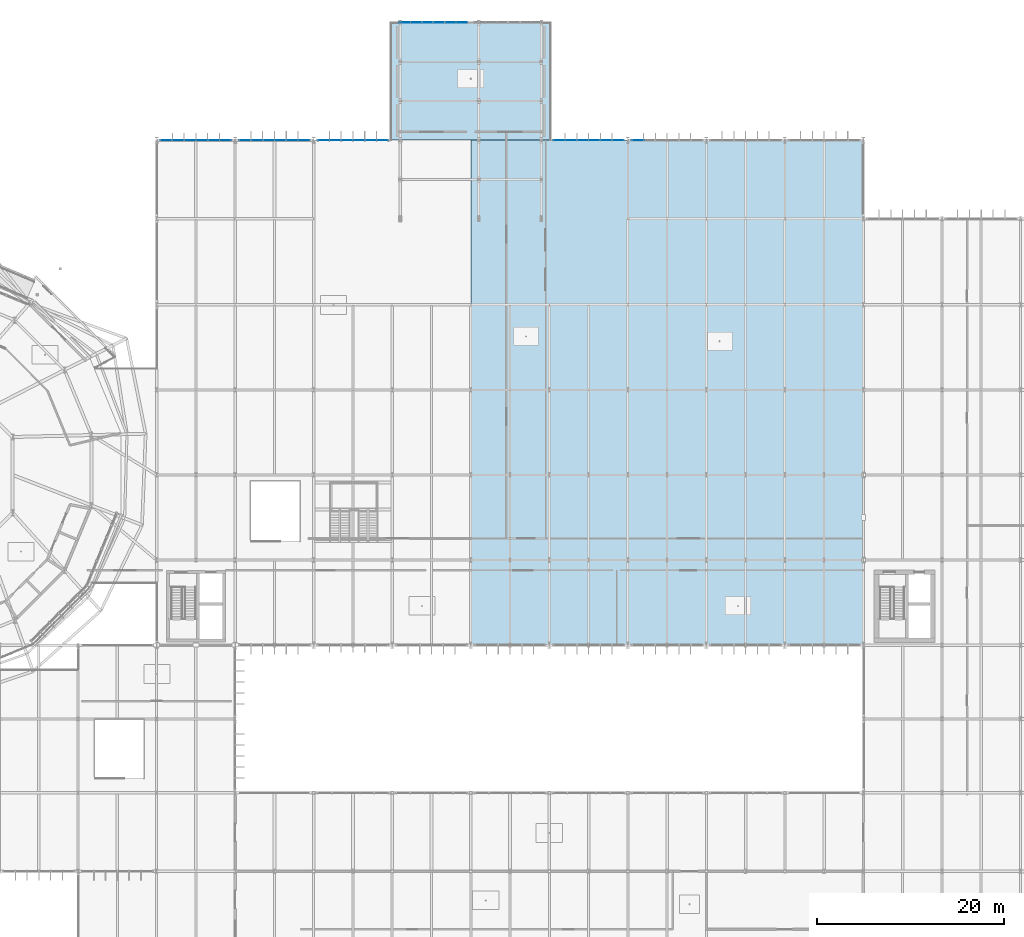
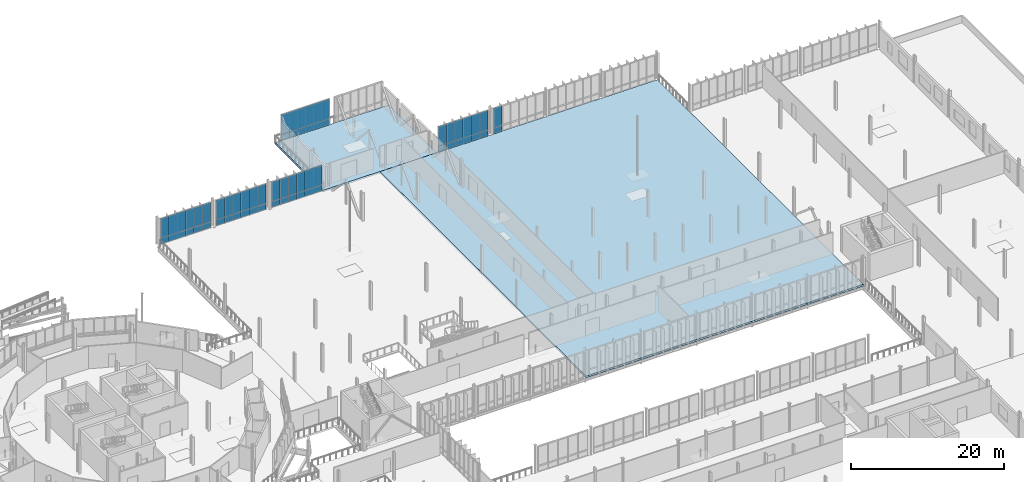
# One storey, part 92 of 139: 62 plates, 2 slabs, 6 elements without a shape of their own.
"""IFC4 building model written with IfcOpenShell, lengths in metres."""

from ifc_helpers import new_model, si_unit, derived_unit, direction, frame, origin, origin_2d, place, context, subcontext, project, spatial, polyline, rectangle, outline, extrude, material, layer, layer_set, type_object, element, aggregate, save


model = new_model("IFC4")

# Units and contexts
model_context = context("Model", 3, precision=1e-05, world=origin(), true_north=direction((0.0, 1.0)))
body_context = subcontext(model_context, "Body", "Model", "MODEL_VIEW")
ifc_project = project(units=[si_unit("LENGTHUNIT", "METRE"), si_unit("AREAUNIT", "SQUARE_METRE"), si_unit("VOLUMEUNIT", "CUBIC_METRE"), si_unit("PLANEANGLEUNIT", "RADIAN"), si_unit("MASSUNIT", "GRAM", prefix="KILO"), derived_unit("THERMALTRANSMITTANCEUNIT", [(si_unit("MASSUNIT", "GRAM", prefix="KILO"), 1), (si_unit("TIMEUNIT", "SECOND"), -3), (si_unit("THERMODYNAMICTEMPERATUREUNIT", "KELVIN"), -1)])], contexts=[model_context])

# Site, building, storey
site_placement = place(None, origin())
site = spatial("IfcSite", under=ifc_project, at=site_placement, CompositionType="ELEMENT")
building_placement = place(site_placement, origin())
building = spatial("IfcBuilding", under=site, at=building_placement, Name="Makaiwela Harbour Ferry Terminal", CompositionType="ELEMENT")
storey_placement = place(building_placement, frame((0.0, 0.0, 5.10009765625)))
storey = spatial("IfcBuildingStorey", under=building, at=storey_placement, Name="L01", CompositionType="ELEMENT", Elevation=5.10009765625)

# Curtain wall, plates
ifc_material_1 = material(Name="Marine anodised aluminium 6063-T6", Category="aluminium")
ifc_layer_1 = layer(ifc_material_1, 0.199951171875)
ifc_layer_set_1 = layer_set([ifc_layer_1], Name="Marine anodised aluminium 6063-T6")
curtain_wall_type_1 = type_object("IfcCurtainWallType", Name="ENV-CW-08", PredefinedType="USERDEFINED", material=ifc_layer_set_1)
curtain_wall_1_placement = place(storey_placement, origin())
curtain_wall_1 = element("IfcCurtainWall", 1, at=curtain_wall_1_placement, inside=storey, type_object=curtain_wall_type_1, Name="Unitised Curtain Wall CWA-072", ObjectType="UNITIZED CURTAIN WALL", PredefinedType="USERDEFINED")
ifc_material_2 = material(Name="Laminated hurricane-impact low-E insulated glazing", Category="glass")
ifc_layer_2 = layer(ifc_material_2, 0.031982421875)
ifc_layer_set_2 = layer_set([ifc_layer_2], Name="Laminated hurricane-impact low-E insulated glazing")
plate_type_1 = type_object("IfcPlateType", Name="CW-PNL-G12", PredefinedType="CURTAIN_PANEL", material=ifc_layer_set_2)
plate_1_placement = place(storey_placement, frame((64.050048828125, 103.39990234375, 0.949951171875), z_axis=(0.0, 0.0, 1.0), x_axis=(1.0, 0.0, 0.0)))
plate_1 = element("IfcPlate", 2, at=plate_1_placement, type_object=plate_type_1, Name="Glazed Vision Panel CWA-072-1G", PredefinedType="CURTAIN_PANEL", context=body_context, shape_type="SweptSolid", body=[
    extrude(rectangle(XDim=1.260009765625, YDim=0.031982421875, at=origin_2d()), origin(), (0.0, 0.0, 1.0), 3.14990234375),
])
plate_2_placement = place(storey_placement, frame((65.31005859375, 103.39990234375, 0.949951171875), z_axis=(0.0, 0.0, 1.0), x_axis=(1.0, 0.0, 0.0)))
plate_2 = element("IfcPlate", 3, at=plate_2_placement, type_object=plate_type_1, Name="Glazed Vision Panel CWA-072-2G", PredefinedType="CURTAIN_PANEL", context=body_context, shape_type="SweptSolid", body=[
    extrude(rectangle(XDim=1.260009765625, YDim=0.031982421875, at=origin_2d()), origin(), (0.0, 0.0, 1.0), 3.14990234375),
])
plate_3_placement = place(storey_placement, frame((66.570068359375, 103.39990234375, 0.949951171875), z_axis=(0.0, 0.0, 1.0), x_axis=(1.0, 0.0, 0.0)))
plate_3 = element("IfcPlate", 4, at=plate_3_placement, type_object=plate_type_1, Name="Glazed Vision Panel CWA-072-3G", PredefinedType="CURTAIN_PANEL", context=body_context, shape_type="SweptSolid", body=[
    extrude(rectangle(XDim=1.260009765625, YDim=0.031982421875, at=origin_2d()), origin(), (0.0, 0.0, 1.0), 3.14990234375),
])
plate_4_placement = place(storey_placement, frame((67.830078125, 103.39990234375, 0.949951171875), z_axis=(0.0, 0.0, 1.0), x_axis=(1.0, 0.0, 0.0)))
plate_4 = element("IfcPlate", 5, at=plate_4_placement, type_object=plate_type_1, Name="Glazed Vision Panel CWA-072-4G", PredefinedType="CURTAIN_PANEL", context=body_context, shape_type="SweptSolid", body=[
    extrude(rectangle(XDim=1.260009765625, YDim=0.031982421875, at=origin_2d()), origin(), (0.0, 0.0, 1.0), 3.14990234375),
])
plate_5_placement = place(storey_placement, frame((69.090087890625, 103.39990234375, 0.949951171875), z_axis=(0.0, 0.0, 1.0), x_axis=(1.0, 0.0, 0.0)))
plate_5 = element("IfcPlate", 6, at=plate_5_placement, type_object=plate_type_1, Name="Glazed Vision Panel CWA-072-5G", PredefinedType="CURTAIN_PANEL", context=body_context, shape_type="SweptSolid", body=[
    extrude(rectangle(XDim=1.260009765625, YDim=0.031982421875, at=origin_2d()), origin(), (0.0, 0.0, 1.0), 3.14990234375),
])
plate_6_placement = place(storey_placement, frame((70.35009765625, 103.39990234375, 0.949951171875), z_axis=(0.0, 0.0, 1.0), x_axis=(1.0, 0.0, 0.0)))
plate_6 = element("IfcPlate", 7, at=plate_6_placement, type_object=plate_type_1, Name="Glazed Vision Panel CWA-072-6G", PredefinedType="CURTAIN_PANEL", context=body_context, shape_type="SweptSolid", body=[
    extrude(rectangle(XDim=1.260009765625, YDim=0.031982421875, at=origin_2d()), origin(), (0.0, 0.0, 1.0), 3.14990234375),
])

curtain_wall_2_placement = place(storey_placement, origin())
curtain_wall_2 = element("IfcCurtainWall", 8, at=curtain_wall_2_placement, inside=storey, type_object=curtain_wall_type_1, Name="Unitised Curtain Wall CWA-073", ObjectType="UNITIZED CURTAIN WALL", PredefinedType="USERDEFINED")
plate_7_placement = place(storey_placement, frame((72.449951171875, 103.39990234375, 0.949951171875), z_axis=(0.0, 0.0, 1.0), x_axis=(1.0, 0.0, 0.0)))
plate_7 = element("IfcPlate", 9, at=plate_7_placement, type_object=plate_type_1, Name="Glazed Vision Panel CWA-073-1G", PredefinedType="CURTAIN_PANEL", context=body_context, shape_type="SweptSolid", body=[
    extrude(rectangle(XDim=1.260009765625, YDim=0.031982421875, at=origin_2d()), origin(), (0.0, 0.0, 1.0), 3.14990234375),
])
plate_8_placement = place(storey_placement, frame((73.7099609375, 103.39990234375, 0.949951171875), z_axis=(0.0, 0.0, 1.0), x_axis=(1.0, 0.0, 0.0)))
plate_8 = element("IfcPlate", 10, at=plate_8_placement, type_object=plate_type_1, Name="Glazed Vision Panel CWA-073-2G", PredefinedType="CURTAIN_PANEL", context=body_context, shape_type="SweptSolid", body=[
    extrude(rectangle(XDim=1.260009765625, YDim=0.031982421875, at=origin_2d()), origin(), (0.0, 0.0, 1.0), 3.14990234375),
])
plate_9_placement = place(storey_placement, frame((74.969970703125, 103.39990234375, 0.949951171875), z_axis=(0.0, 0.0, 1.0), x_axis=(1.0, 0.0, 0.0)))
plate_9 = element("IfcPlate", 11, at=plate_9_placement, type_object=plate_type_1, Name="Glazed Vision Panel CWA-073-3G", PredefinedType="CURTAIN_PANEL", context=body_context, shape_type="SweptSolid", body=[
    extrude(rectangle(XDim=1.260009765625, YDim=0.031982421875, at=origin_2d()), origin(), (0.0, 0.0, 1.0), 3.14990234375),
])
plate_10_placement = place(storey_placement, frame((76.22998046875, 103.39990234375, 0.949951171875), z_axis=(0.0, 0.0, 1.0), x_axis=(1.0, 0.0, 0.0)))
plate_10 = element("IfcPlate", 12, at=plate_10_placement, type_object=plate_type_1, Name="Glazed Vision Panel CWA-073-4G", PredefinedType="CURTAIN_PANEL", context=body_context, shape_type="SweptSolid", body=[
    extrude(rectangle(XDim=1.260009765625, YDim=0.031982421875, at=origin_2d()), origin(), (0.0, 0.0, 1.0), 3.14990234375),
])
plate_11_placement = place(storey_placement, frame((77.489990234375, 103.39990234375, 0.949951171875), z_axis=(0.0, 0.0, 1.0), x_axis=(1.0, 0.0, 0.0)))
plate_11 = element("IfcPlate", 13, at=plate_11_placement, type_object=plate_type_1, Name="Glazed Vision Panel CWA-073-5G", PredefinedType="CURTAIN_PANEL", context=body_context, shape_type="SweptSolid", body=[
    extrude(rectangle(XDim=1.260009765625, YDim=0.031982421875, at=origin_2d()), origin(), (0.0, 0.0, 1.0), 3.14990234375),
])
plate_12_placement = place(storey_placement, frame((78.75, 103.39990234375, 0.949951171875), z_axis=(0.0, 0.0, 1.0), x_axis=(1.0, 0.0, 0.0)))
plate_12 = element("IfcPlate", 14, at=plate_12_placement, type_object=plate_type_1, Name="Glazed Vision Panel CWA-073-6G", PredefinedType="CURTAIN_PANEL", context=body_context, shape_type="SweptSolid", body=[
    extrude(rectangle(XDim=1.260009765625, YDim=0.031982421875, at=origin_2d()), origin(), (0.0, 0.0, 1.0), 3.14990234375),
])

curtain_wall_3_placement = place(storey_placement, origin())
curtain_wall_3 = element("IfcCurtainWall", 15, at=curtain_wall_3_placement, inside=storey, type_object=curtain_wall_type_1, Name="Unitised Curtain Wall CWA-077", ObjectType="UNITIZED CURTAIN WALL", PredefinedType="USERDEFINED")
plate_13_placement = place(storey_placement, frame((80.85009765625, 103.39990234375, 0.949951171875), z_axis=(0.0, 0.0, 1.0), x_axis=(1.0, 0.0, 0.0)))
plate_13 = element("IfcPlate", 16, at=plate_13_placement, type_object=plate_type_1, Name="Glazed Vision Panel CWA-077-1G", PredefinedType="CURTAIN_PANEL", context=body_context, shape_type="SweptSolid", body=[
    extrude(rectangle(XDim=1.260009765625, YDim=0.031982421875, at=origin_2d()), origin(), (0.0, 0.0, 1.0), 3.14990234375),
])
plate_14_placement = place(storey_placement, frame((82.110107421875, 103.39990234375, 0.949951171875), z_axis=(0.0, 0.0, 1.0), x_axis=(1.0, 0.0, 0.0)))
plate_14 = element("IfcPlate", 17, at=plate_14_placement, type_object=plate_type_1, Name="Glazed Vision Panel CWA-077-2G", PredefinedType="CURTAIN_PANEL", context=body_context, shape_type="SweptSolid", body=[
    extrude(rectangle(XDim=1.260009765625, YDim=0.031982421875, at=origin_2d()), origin(), (0.0, 0.0, 1.0), 3.14990234375),
])
plate_15_placement = place(storey_placement, frame((83.3701171875, 103.39990234375, 0.949951171875), z_axis=(0.0, 0.0, 1.0), x_axis=(1.0, 0.0, 0.0)))
plate_15 = element("IfcPlate", 18, at=plate_15_placement, type_object=plate_type_1, Name="Glazed Vision Panel CWA-077-3G", PredefinedType="CURTAIN_PANEL", context=body_context, shape_type="SweptSolid", body=[
    extrude(rectangle(XDim=1.260009765625, YDim=0.031982421875, at=origin_2d()), origin(), (0.0, 0.0, 1.0), 3.14990234375),
])
plate_16_placement = place(storey_placement, frame((84.6298828125, 103.39990234375, 0.949951171875), z_axis=(0.0, 0.0, 1.0), x_axis=(1.0, 0.0, 0.0)))
plate_16 = element("IfcPlate", 19, at=plate_16_placement, type_object=plate_type_1, Name="Glazed Vision Panel CWA-077-4G", PredefinedType="CURTAIN_PANEL", context=body_context, shape_type="SweptSolid", body=[
    extrude(rectangle(XDim=1.260009765625, YDim=0.031982421875, at=origin_2d()), origin(), (0.0, 0.0, 1.0), 3.14990234375),
])
plate_17_placement = place(storey_placement, frame((85.889892578125, 103.39990234375, 0.949951171875), z_axis=(0.0, 0.0, 1.0), x_axis=(1.0, 0.0, 0.0)))
plate_17 = element("IfcPlate", 20, at=plate_17_placement, type_object=plate_type_1, Name="Glazed Vision Panel CWA-077-5G", PredefinedType="CURTAIN_PANEL", context=body_context, shape_type="SweptSolid", body=[
    extrude(rectangle(XDim=1.260009765625, YDim=0.031982421875, at=origin_2d()), origin(), (0.0, 0.0, 1.0), 3.14990234375),
])
plate_18_placement = place(storey_placement, frame((87.14990234375, 103.39990234375, 0.949951171875), z_axis=(0.0, 0.0, 1.0), x_axis=(1.0, 0.0, 0.0)))
plate_18 = element("IfcPlate", 21, at=plate_18_placement, type_object=plate_type_1, Name="Glazed Vision Panel CWA-077-6G", PredefinedType="CURTAIN_PANEL", context=body_context, shape_type="SweptSolid", body=[
    extrude(rectangle(XDim=1.260009765625, YDim=0.031982421875, at=origin_2d()), origin(), (0.0, 0.0, 1.0), 3.14990234375),
])

curtain_wall_4_placement = place(storey_placement, origin())
curtain_wall_4 = element("IfcCurtainWall", 22, at=curtain_wall_4_placement, inside=storey, type_object=curtain_wall_type_1, Name="Unitised Curtain Wall CWA-084", ObjectType="UNITIZED CURTAIN WALL", PredefinedType="USERDEFINED")
plate_19_placement = place(storey_placement, frame((106.050048828125, 103.39990234375, 0.949951171875), z_axis=(0.0, 0.0, 1.0), x_axis=(1.0, 0.0, 0.0)))
plate_19 = element("IfcPlate", 23, at=plate_19_placement, type_object=plate_type_1, Name="Glazed Vision Panel CWA-084-1G", PredefinedType="CURTAIN_PANEL", context=body_context, shape_type="SweptSolid", body=[
    extrude(rectangle(XDim=1.260009765625, YDim=0.031982421875, at=origin_2d()), origin(), (0.0, 0.0, 1.0), 3.14990234375),
])
plate_20_placement = place(storey_placement, frame((107.31005859375, 103.39990234375, 0.949951171875), z_axis=(0.0, 0.0, 1.0), x_axis=(1.0, 0.0, 0.0)))
plate_20 = element("IfcPlate", 24, at=plate_20_placement, type_object=plate_type_1, Name="Glazed Vision Panel CWA-084-2G", PredefinedType="CURTAIN_PANEL", context=body_context, shape_type="SweptSolid", body=[
    extrude(rectangle(XDim=1.260009765625, YDim=0.031982421875, at=origin_2d()), origin(), (0.0, 0.0, 1.0), 3.14990234375),
])
plate_21_placement = place(storey_placement, frame((108.570068359375, 103.39990234375, 0.949951171875), z_axis=(0.0, 0.0, 1.0), x_axis=(1.0, 0.0, 0.0)))
plate_21 = element("IfcPlate", 25, at=plate_21_placement, type_object=plate_type_1, Name="Glazed Vision Panel CWA-084-3G", PredefinedType="CURTAIN_PANEL", context=body_context, shape_type="SweptSolid", body=[
    extrude(rectangle(XDim=1.260009765625, YDim=0.031982421875, at=origin_2d()), origin(), (0.0, 0.0, 1.0), 3.14990234375),
])
plate_22_placement = place(storey_placement, frame((109.830078125, 103.39990234375, 0.949951171875), z_axis=(0.0, 0.0, 1.0), x_axis=(1.0, 0.0, 0.0)))
plate_22 = element("IfcPlate", 26, at=plate_22_placement, type_object=plate_type_1, Name="Glazed Vision Panel CWA-084-4G", PredefinedType="CURTAIN_PANEL", context=body_context, shape_type="SweptSolid", body=[
    extrude(rectangle(XDim=1.260009765625, YDim=0.031982421875, at=origin_2d()), origin(), (0.0, 0.0, 1.0), 3.14990234375),
])
plate_23_placement = place(storey_placement, frame((111.090087890625, 103.39990234375, 0.949951171875), z_axis=(0.0, 0.0, 1.0), x_axis=(1.0, 0.0, 0.0)))
plate_23 = element("IfcPlate", 27, at=plate_23_placement, type_object=plate_type_1, Name="Glazed Vision Panel CWA-084-5G", PredefinedType="CURTAIN_PANEL", context=body_context, shape_type="SweptSolid", body=[
    extrude(rectangle(XDim=1.260009765625, YDim=0.031982421875, at=origin_2d()), origin(), (0.0, 0.0, 1.0), 3.14990234375),
])
plate_24_placement = place(storey_placement, frame((112.35009765625, 103.39990234375, 0.949951171875), z_axis=(0.0, 0.0, 1.0), x_axis=(1.0, 0.0, 0.0)))
plate_24 = element("IfcPlate", 28, at=plate_24_placement, type_object=plate_type_1, Name="Glazed Vision Panel CWA-084-6G", PredefinedType="CURTAIN_PANEL", context=body_context, shape_type="SweptSolid", body=[
    extrude(rectangle(XDim=1.260009765625, YDim=0.031982421875, at=origin_2d()), origin(), (0.0, 0.0, 1.0), 3.14990234375),
])

# Curtain wall, plate
curtain_wall_5_placement = place(storey_placement, origin())
curtain_wall_5 = element("IfcCurtainWall", 29, at=curtain_wall_5_placement, inside=storey, type_object=curtain_wall_type_1, Name="Unitised Curtain Wall CWA-087", ObjectType="UNITIZED CURTAIN WALL", PredefinedType="USERDEFINED")
plate_25_placement = place(storey_placement, frame((114.449951171875, 103.39990234375, 0.949951171875), z_axis=(0.0, 0.0, 1.0), x_axis=(1.0, 0.0, 0.0)))
plate_25 = element("IfcPlate", 30, at=plate_25_placement, type_object=plate_type_1, Name="Glazed Vision Panel CWA-087-1G", PredefinedType="CURTAIN_PANEL", context=body_context, shape_type="SweptSolid", body=[
    extrude(rectangle(XDim=1.260009765625, YDim=0.031982421875, at=origin_2d()), origin(), (0.0, 0.0, 1.0), 3.14990234375),
])

# Curtain wall, plates
ifc_layer_3 = layer(ifc_material_1, 0.199951171875)
ifc_layer_set_3 = layer_set([ifc_layer_3], Name="Marine anodised aluminium 6063-T6")
curtain_wall_type_2 = type_object("IfcCurtainWallType", Name="ENV-CW-20", PredefinedType="USERDEFINED", material=ifc_layer_set_3)
curtain_wall_6_placement = place(storey_placement, origin())
curtain_wall_6 = element("IfcCurtainWall", 31, at=curtain_wall_6_placement, inside=storey, type_object=curtain_wall_type_2, Name="Unitised Curtain Wall CWA-132", ObjectType="UNITIZED CURTAIN WALL", PredefinedType="USERDEFINED")
plate_26_placement = place(storey_placement, frame((89.539306640625, 116.0, 0.94970703125), z_axis=(0.0, 0.0, 1.0), x_axis=(1.0, 0.0, 0.0)))
plate_26 = element("IfcPlate", 32, at=plate_26_placement, type_object=plate_type_1, Name="Glazed Vision Panel CWA-132-1G", PredefinedType="CURTAIN_PANEL", context=body_context, shape_type="SweptSolid", body=[
    extrude(rectangle(XDim=1.21826171875, YDim=0.031982421875, at=origin_2d()), origin(), (0.0, 0.0, 1.0), 3.199951171875),
])
plate_27_placement = place(storey_placement, frame((90.757568359375, 116.0, 0.94970703125), z_axis=(0.0, 0.0, 1.0), x_axis=(1.0, 0.0, 0.0)))
plate_27 = element("IfcPlate", 33, at=plate_27_placement, type_object=plate_type_1, Name="Glazed Vision Panel CWA-132-2G", PredefinedType="CURTAIN_PANEL", context=body_context, shape_type="SweptSolid", body=[
    extrude(rectangle(XDim=1.21826171875, YDim=0.031982421875, at=origin_2d()), origin(), (0.0, 0.0, 1.0), 3.199951171875),
])
plate_28_placement = place(storey_placement, frame((91.975830078125, 116.0, 0.94970703125), z_axis=(0.0, 0.0, 1.0), x_axis=(1.0, 0.0, 0.0)))
plate_28 = element("IfcPlate", 34, at=plate_28_placement, type_object=plate_type_1, Name="Glazed Vision Panel CWA-132-3G", PredefinedType="CURTAIN_PANEL", context=body_context, shape_type="SweptSolid", body=[
    extrude(rectangle(XDim=1.21826171875, YDim=0.031982421875, at=origin_2d()), origin(), (0.0, 0.0, 1.0), 3.199951171875),
])
plate_29_placement = place(storey_placement, frame((93.194091796875, 116.0, 0.94970703125), z_axis=(0.0, 0.0, 1.0), x_axis=(1.0, 0.0, 0.0)))
plate_29 = element("IfcPlate", 35, at=plate_29_placement, type_object=plate_type_1, Name="Glazed Vision Panel CWA-132-4G", PredefinedType="CURTAIN_PANEL", context=body_context, shape_type="SweptSolid", body=[
    extrude(rectangle(XDim=1.21826171875, YDim=0.031982421875, at=origin_2d()), origin(), (0.0, 0.0, 1.0), 3.199951171875),
])
plate_30_placement = place(storey_placement, frame((94.41259765625, 116.0, 0.94970703125), z_axis=(0.0, 0.0, 1.0), x_axis=(1.0, 0.0, 0.0)))
plate_30 = element("IfcPlate", 36, at=plate_30_placement, type_object=plate_type_1, Name="Glazed Vision Panel CWA-132-5G", PredefinedType="CURTAIN_PANEL", context=body_context, shape_type="SweptSolid", body=[
    extrude(rectangle(XDim=1.21826171875, YDim=0.031982421875, at=origin_2d()), origin(), (0.0, 0.0, 1.0), 3.199951171875),
])
plate_31_placement = place(storey_placement, frame((95.630859375, 116.0, 0.94970703125), z_axis=(0.0, 0.0, 1.0), x_axis=(1.0, 0.0, 0.0)))
plate_31 = element("IfcPlate", 37, at=plate_31_placement, type_object=plate_type_1, Name="Glazed Vision Panel CWA-132-6G", PredefinedType="CURTAIN_PANEL", context=body_context, shape_type="SweptSolid", body=[
    extrude(rectangle(XDim=1.21826171875, YDim=0.031982421875, at=origin_2d()), origin(), (0.0, 0.0, 1.0), 3.199951171875),
])

# Plate
ifc_material_3 = material(Name="Insulated marine aluminium spandrel panel", Category="aluminium")
ifc_layer_4 = layer(ifc_material_3, 0.048095703125)
ifc_layer_set_4 = layer_set([ifc_layer_4], Name="Insulated marine aluminium spandrel panel")
plate_type_2 = type_object("IfcPlateType", Name="CW-PNL-S11", PredefinedType="CURTAIN_PANEL", material=ifc_layer_set_4)
plate_32_placement = place(storey_placement, frame((64.050048828125, 103.39990234375, 0.0), z_axis=(0.0, 0.0, 1.0), x_axis=(1.0, 0.0, 0.0)))
plate_32 = element("IfcPlate", 38, at=plate_32_placement, type_object=plate_type_2, Name="Spandrel Panel CWA-072-1S", PredefinedType="CURTAIN_PANEL", context=body_context, shape_type="SweptSolid", body=[
    extrude(rectangle(XDim=1.260009765625, YDim=0.048095703125, at=origin_2d()), origin(), (0.0, 0.0, 1.0), 0.949951171875),
])

plate_33_placement = place(storey_placement, frame((65.31005859375, 103.39990234375, 0.0), z_axis=(0.0, 0.0, 1.0), x_axis=(1.0, 0.0, 0.0)))
plate_33 = element("IfcPlate", 39, at=plate_33_placement, type_object=plate_type_2, Name="Spandrel Panel CWA-072-2S", PredefinedType="CURTAIN_PANEL", context=body_context, shape_type="SweptSolid", body=[
    extrude(rectangle(XDim=1.260009765625, YDim=0.048095703125, at=origin_2d()), origin(), (0.0, 0.0, 1.0), 0.949951171875),
])

plate_34_placement = place(storey_placement, frame((66.570068359375, 103.39990234375, 0.0), z_axis=(0.0, 0.0, 1.0), x_axis=(1.0, 0.0, 0.0)))
plate_34 = element("IfcPlate", 40, at=plate_34_placement, type_object=plate_type_2, Name="Spandrel Panel CWA-072-3S", PredefinedType="CURTAIN_PANEL", context=body_context, shape_type="SweptSolid", body=[
    extrude(rectangle(XDim=1.260009765625, YDim=0.048095703125, at=origin_2d()), origin(), (0.0, 0.0, 1.0), 0.949951171875),
])

plate_35_placement = place(storey_placement, frame((67.830078125, 103.39990234375, 0.0), z_axis=(0.0, 0.0, 1.0), x_axis=(1.0, 0.0, 0.0)))
plate_35 = element("IfcPlate", 41, at=plate_35_placement, type_object=plate_type_2, Name="Spandrel Panel CWA-072-4S", PredefinedType="CURTAIN_PANEL", context=body_context, shape_type="SweptSolid", body=[
    extrude(rectangle(XDim=1.260009765625, YDim=0.048095703125, at=origin_2d()), origin(), (0.0, 0.0, 1.0), 0.949951171875),
])

plate_36_placement = place(storey_placement, frame((69.090087890625, 103.39990234375, 0.0), z_axis=(0.0, 0.0, 1.0), x_axis=(1.0, 0.0, 0.0)))
plate_36 = element("IfcPlate", 42, at=plate_36_placement, type_object=plate_type_2, Name="Spandrel Panel CWA-072-5S", PredefinedType="CURTAIN_PANEL", context=body_context, shape_type="SweptSolid", body=[
    extrude(rectangle(XDim=1.260009765625, YDim=0.048095703125, at=origin_2d()), origin(), (0.0, 0.0, 1.0), 0.949951171875),
])

plate_37_placement = place(storey_placement, frame((70.35009765625, 103.39990234375, 0.0), z_axis=(0.0, 0.0, 1.0), x_axis=(1.0, 0.0, 0.0)))
plate_37 = element("IfcPlate", 43, at=plate_37_placement, type_object=plate_type_2, Name="Spandrel Panel CWA-072-6S", PredefinedType="CURTAIN_PANEL", context=body_context, shape_type="SweptSolid", body=[
    extrude(rectangle(XDim=1.260009765625, YDim=0.048095703125, at=origin_2d()), origin(), (0.0, 0.0, 1.0), 0.949951171875),
])

aggregate(curtain_wall_1, [plate_32, plate_1, plate_33, plate_2, plate_34, plate_3, plate_35, plate_4, plate_36, plate_5, plate_37, plate_6])

plate_38_placement = place(storey_placement, frame((72.449951171875, 103.39990234375, 0.0), z_axis=(0.0, 0.0, 1.0), x_axis=(1.0, 0.0, 0.0)))
plate_38 = element("IfcPlate", 44, at=plate_38_placement, type_object=plate_type_2, Name="Spandrel Panel CWA-073-1S", PredefinedType="CURTAIN_PANEL", context=body_context, shape_type="SweptSolid", body=[
    extrude(rectangle(XDim=1.260009765625, YDim=0.048095703125, at=origin_2d()), origin(), (0.0, 0.0, 1.0), 0.949951171875),
])

plate_39_placement = place(storey_placement, frame((73.7099609375, 103.39990234375, 0.0), z_axis=(0.0, 0.0, 1.0), x_axis=(1.0, 0.0, 0.0)))
plate_39 = element("IfcPlate", 45, at=plate_39_placement, type_object=plate_type_2, Name="Spandrel Panel CWA-073-2S", PredefinedType="CURTAIN_PANEL", context=body_context, shape_type="SweptSolid", body=[
    extrude(rectangle(XDim=1.260009765625, YDim=0.048095703125, at=origin_2d()), origin(), (0.0, 0.0, 1.0), 0.949951171875),
])

plate_40_placement = place(storey_placement, frame((74.969970703125, 103.39990234375, 0.0), z_axis=(0.0, 0.0, 1.0), x_axis=(1.0, 0.0, 0.0)))
plate_40 = element("IfcPlate", 46, at=plate_40_placement, type_object=plate_type_2, Name="Spandrel Panel CWA-073-3S", PredefinedType="CURTAIN_PANEL", context=body_context, shape_type="SweptSolid", body=[
    extrude(rectangle(XDim=1.260009765625, YDim=0.048095703125, at=origin_2d()), origin(), (0.0, 0.0, 1.0), 0.949951171875),
])

plate_41_placement = place(storey_placement, frame((76.22998046875, 103.39990234375, 0.0), z_axis=(0.0, 0.0, 1.0), x_axis=(1.0, 0.0, 0.0)))
plate_41 = element("IfcPlate", 47, at=plate_41_placement, type_object=plate_type_2, Name="Spandrel Panel CWA-073-4S", PredefinedType="CURTAIN_PANEL", context=body_context, shape_type="SweptSolid", body=[
    extrude(rectangle(XDim=1.260009765625, YDim=0.048095703125, at=origin_2d()), origin(), (0.0, 0.0, 1.0), 0.949951171875),
])

plate_42_placement = place(storey_placement, frame((77.489990234375, 103.39990234375, 0.0), z_axis=(0.0, 0.0, 1.0), x_axis=(1.0, 0.0, 0.0)))
plate_42 = element("IfcPlate", 48, at=plate_42_placement, type_object=plate_type_2, Name="Spandrel Panel CWA-073-5S", PredefinedType="CURTAIN_PANEL", context=body_context, shape_type="SweptSolid", body=[
    extrude(rectangle(XDim=1.260009765625, YDim=0.048095703125, at=origin_2d()), origin(), (0.0, 0.0, 1.0), 0.949951171875),
])

plate_43_placement = place(storey_placement, frame((78.75, 103.39990234375, 0.0), z_axis=(0.0, 0.0, 1.0), x_axis=(1.0, 0.0, 0.0)))
plate_43 = element("IfcPlate", 49, at=plate_43_placement, type_object=plate_type_2, Name="Spandrel Panel CWA-073-6S", PredefinedType="CURTAIN_PANEL", context=body_context, shape_type="SweptSolid", body=[
    extrude(rectangle(XDim=1.260009765625, YDim=0.048095703125, at=origin_2d()), origin(), (0.0, 0.0, 1.0), 0.949951171875),
])

aggregate(curtain_wall_2, [plate_38, plate_7, plate_39, plate_8, plate_40, plate_9, plate_41, plate_10, plate_42, plate_11, plate_43, plate_12])

plate_44_placement = place(storey_placement, frame((80.85009765625, 103.39990234375, 0.0), z_axis=(0.0, 0.0, 1.0), x_axis=(1.0, 0.0, 0.0)))
plate_44 = element("IfcPlate", 50, at=plate_44_placement, type_object=plate_type_2, Name="Spandrel Panel CWA-077-1S", PredefinedType="CURTAIN_PANEL", context=body_context, shape_type="SweptSolid", body=[
    extrude(rectangle(XDim=1.260009765625, YDim=0.048095703125, at=origin_2d()), origin(), (0.0, 0.0, 1.0), 0.949951171875),
])

plate_45_placement = place(storey_placement, frame((82.110107421875, 103.39990234375, 0.0), z_axis=(0.0, 0.0, 1.0), x_axis=(1.0, 0.0, 0.0)))
plate_45 = element("IfcPlate", 51, at=plate_45_placement, type_object=plate_type_2, Name="Spandrel Panel CWA-077-2S", PredefinedType="CURTAIN_PANEL", context=body_context, shape_type="SweptSolid", body=[
    extrude(rectangle(XDim=1.260009765625, YDim=0.048095703125, at=origin_2d()), origin(), (0.0, 0.0, 1.0), 0.949951171875),
])

plate_46_placement = place(storey_placement, frame((83.3701171875, 103.39990234375, 0.0), z_axis=(0.0, 0.0, 1.0), x_axis=(1.0, 0.0, 0.0)))
plate_46 = element("IfcPlate", 52, at=plate_46_placement, type_object=plate_type_2, Name="Spandrel Panel CWA-077-3S", PredefinedType="CURTAIN_PANEL", context=body_context, shape_type="SweptSolid", body=[
    extrude(rectangle(XDim=1.260009765625, YDim=0.048095703125, at=origin_2d()), origin(), (0.0, 0.0, 1.0), 0.949951171875),
])

plate_47_placement = place(storey_placement, frame((84.6298828125, 103.39990234375, 0.0), z_axis=(0.0, 0.0, 1.0), x_axis=(1.0, 0.0, 0.0)))
plate_47 = element("IfcPlate", 53, at=plate_47_placement, type_object=plate_type_2, Name="Spandrel Panel CWA-077-4S", PredefinedType="CURTAIN_PANEL", context=body_context, shape_type="SweptSolid", body=[
    extrude(rectangle(XDim=1.260009765625, YDim=0.048095703125, at=origin_2d()), origin(), (0.0, 0.0, 1.0), 0.949951171875),
])

plate_48_placement = place(storey_placement, frame((85.889892578125, 103.39990234375, 0.0), z_axis=(0.0, 0.0, 1.0), x_axis=(1.0, 0.0, 0.0)))
plate_48 = element("IfcPlate", 54, at=plate_48_placement, type_object=plate_type_2, Name="Spandrel Panel CWA-077-5S", PredefinedType="CURTAIN_PANEL", context=body_context, shape_type="SweptSolid", body=[
    extrude(rectangle(XDim=1.260009765625, YDim=0.048095703125, at=origin_2d()), origin(), (0.0, 0.0, 1.0), 0.949951171875),
])

plate_49_placement = place(storey_placement, frame((87.14990234375, 103.39990234375, 0.0), z_axis=(0.0, 0.0, 1.0), x_axis=(1.0, 0.0, 0.0)))
plate_49 = element("IfcPlate", 55, at=plate_49_placement, type_object=plate_type_2, Name="Spandrel Panel CWA-077-6S", PredefinedType="CURTAIN_PANEL", context=body_context, shape_type="SweptSolid", body=[
    extrude(rectangle(XDim=1.260009765625, YDim=0.048095703125, at=origin_2d()), origin(), (0.0, 0.0, 1.0), 0.949951171875),
])

aggregate(curtain_wall_3, [plate_44, plate_13, plate_45, plate_14, plate_46, plate_15, plate_47, plate_16, plate_48, plate_17, plate_49, plate_18])

plate_50_placement = place(storey_placement, frame((106.050048828125, 103.39990234375, 0.0), z_axis=(0.0, 0.0, 1.0), x_axis=(1.0, 0.0, 0.0)))
plate_50 = element("IfcPlate", 56, at=plate_50_placement, type_object=plate_type_2, Name="Spandrel Panel CWA-084-1S", PredefinedType="CURTAIN_PANEL", context=body_context, shape_type="SweptSolid", body=[
    extrude(rectangle(XDim=1.260009765625, YDim=0.048095703125, at=origin_2d()), origin(), (0.0, 0.0, 1.0), 0.949951171875),
])

plate_51_placement = place(storey_placement, frame((107.31005859375, 103.39990234375, 0.0), z_axis=(0.0, 0.0, 1.0), x_axis=(1.0, 0.0, 0.0)))
plate_51 = element("IfcPlate", 57, at=plate_51_placement, type_object=plate_type_2, Name="Spandrel Panel CWA-084-2S", PredefinedType="CURTAIN_PANEL", context=body_context, shape_type="SweptSolid", body=[
    extrude(rectangle(XDim=1.260009765625, YDim=0.048095703125, at=origin_2d()), origin(), (0.0, 0.0, 1.0), 0.949951171875),
])

plate_52_placement = place(storey_placement, frame((108.570068359375, 103.39990234375, 0.0), z_axis=(0.0, 0.0, 1.0), x_axis=(1.0, 0.0, 0.0)))
plate_52 = element("IfcPlate", 58, at=plate_52_placement, type_object=plate_type_2, Name="Spandrel Panel CWA-084-3S", PredefinedType="CURTAIN_PANEL", context=body_context, shape_type="SweptSolid", body=[
    extrude(rectangle(XDim=1.260009765625, YDim=0.048095703125, at=origin_2d()), origin(), (0.0, 0.0, 1.0), 0.949951171875),
])

plate_53_placement = place(storey_placement, frame((109.830078125, 103.39990234375, 0.0), z_axis=(0.0, 0.0, 1.0), x_axis=(1.0, 0.0, 0.0)))
plate_53 = element("IfcPlate", 59, at=plate_53_placement, type_object=plate_type_2, Name="Spandrel Panel CWA-084-4S", PredefinedType="CURTAIN_PANEL", context=body_context, shape_type="SweptSolid", body=[
    extrude(rectangle(XDim=1.260009765625, YDim=0.048095703125, at=origin_2d()), origin(), (0.0, 0.0, 1.0), 0.949951171875),
])

plate_54_placement = place(storey_placement, frame((111.090087890625, 103.39990234375, 0.0), z_axis=(0.0, 0.0, 1.0), x_axis=(1.0, 0.0, 0.0)))
plate_54 = element("IfcPlate", 60, at=plate_54_placement, type_object=plate_type_2, Name="Spandrel Panel CWA-084-5S", PredefinedType="CURTAIN_PANEL", context=body_context, shape_type="SweptSolid", body=[
    extrude(rectangle(XDim=1.260009765625, YDim=0.048095703125, at=origin_2d()), origin(), (0.0, 0.0, 1.0), 0.949951171875),
])

plate_55_placement = place(storey_placement, frame((112.35009765625, 103.39990234375, 0.0), z_axis=(0.0, 0.0, 1.0), x_axis=(1.0, 0.0, 0.0)))
plate_55 = element("IfcPlate", 61, at=plate_55_placement, type_object=plate_type_2, Name="Spandrel Panel CWA-084-6S", PredefinedType="CURTAIN_PANEL", context=body_context, shape_type="SweptSolid", body=[
    extrude(rectangle(XDim=1.260009765625, YDim=0.048095703125, at=origin_2d()), origin(), (0.0, 0.0, 1.0), 0.949951171875),
])

aggregate(curtain_wall_4, [plate_50, plate_19, plate_51, plate_20, plate_52, plate_21, plate_53, plate_22, plate_54, plate_23, plate_55, plate_24])

plate_56_placement = place(storey_placement, frame((114.449951171875, 103.39990234375, 0.0), z_axis=(0.0, 0.0, 1.0), x_axis=(1.0, 0.0, 0.0)))
plate_56 = element("IfcPlate", 62, at=plate_56_placement, type_object=plate_type_2, Name="Spandrel Panel CWA-087-1S", PredefinedType="CURTAIN_PANEL", context=body_context, shape_type="SweptSolid", body=[
    extrude(rectangle(XDim=1.260009765625, YDim=0.048095703125, at=origin_2d()), origin(), (0.0, 0.0, 1.0), 0.949951171875),
])

aggregate(curtain_wall_5, [plate_56, plate_25])

plate_57_placement = place(storey_placement, frame((89.539306640625, 116.0, 0.0), z_axis=(0.0, 0.0, 1.0), x_axis=(1.0, 0.0, 0.0)))
plate_57 = element("IfcPlate", 63, at=plate_57_placement, type_object=plate_type_2, Name="Spandrel Panel CWA-132-1S", PredefinedType="CURTAIN_PANEL", context=body_context, shape_type="SweptSolid", body=[
    extrude(rectangle(XDim=1.21826171875, YDim=0.048095703125, at=origin_2d()), origin(), (0.0, 0.0, 1.0), 0.949951171875),
])

plate_58_placement = place(storey_placement, frame((90.757568359375, 116.0, 0.0), z_axis=(0.0, 0.0, 1.0), x_axis=(1.0, 0.0, 0.0)))
plate_58 = element("IfcPlate", 64, at=plate_58_placement, type_object=plate_type_2, Name="Spandrel Panel CWA-132-2S", PredefinedType="CURTAIN_PANEL", context=body_context, shape_type="SweptSolid", body=[
    extrude(rectangle(XDim=1.21826171875, YDim=0.048095703125, at=origin_2d()), origin(), (0.0, 0.0, 1.0), 0.949951171875),
])

plate_59_placement = place(storey_placement, frame((91.975830078125, 116.0, 0.0), z_axis=(0.0, 0.0, 1.0), x_axis=(1.0, 0.0, 0.0)))
plate_59 = element("IfcPlate", 65, at=plate_59_placement, type_object=plate_type_2, Name="Spandrel Panel CWA-132-3S", PredefinedType="CURTAIN_PANEL", context=body_context, shape_type="SweptSolid", body=[
    extrude(rectangle(XDim=1.21826171875, YDim=0.048095703125, at=origin_2d()), origin(), (0.0, 0.0, 1.0), 0.949951171875),
])

plate_60_placement = place(storey_placement, frame((93.194091796875, 116.0, 0.0), z_axis=(0.0, 0.0, 1.0), x_axis=(1.0, 0.0, 0.0)))
plate_60 = element("IfcPlate", 66, at=plate_60_placement, type_object=plate_type_2, Name="Spandrel Panel CWA-132-4S", PredefinedType="CURTAIN_PANEL", context=body_context, shape_type="SweptSolid", body=[
    extrude(rectangle(XDim=1.21826171875, YDim=0.048095703125, at=origin_2d()), origin(), (0.0, 0.0, 1.0), 0.949951171875),
])

plate_61_placement = place(storey_placement, frame((94.41259765625, 116.0, 0.0), z_axis=(0.0, 0.0, 1.0), x_axis=(1.0, 0.0, 0.0)))
plate_61 = element("IfcPlate", 67, at=plate_61_placement, type_object=plate_type_2, Name="Spandrel Panel CWA-132-5S", PredefinedType="CURTAIN_PANEL", context=body_context, shape_type="SweptSolid", body=[
    extrude(rectangle(XDim=1.21826171875, YDim=0.048095703125, at=origin_2d()), origin(), (0.0, 0.0, 1.0), 0.949951171875),
])

plate_62_placement = place(storey_placement, frame((95.630859375, 116.0, 0.0), z_axis=(0.0, 0.0, 1.0), x_axis=(1.0, 0.0, 0.0)))
plate_62 = element("IfcPlate", 68, at=plate_62_placement, type_object=plate_type_2, Name="Spandrel Panel CWA-132-6S", PredefinedType="CURTAIN_PANEL", context=body_context, shape_type="SweptSolid", body=[
    extrude(rectangle(XDim=1.21826171875, YDim=0.048095703125, at=origin_2d()), origin(), (0.0, 0.0, 1.0), 0.949951171875),
])

aggregate(curtain_wall_6, [plate_57, plate_26, plate_58, plate_27, plate_59, plate_28, plate_60, plate_29, plate_61, plate_30, plate_62, plate_31])

# Slabs
ifc_material_4 = material(Name="Concrete f'c 35 MPa (5000 psi)", Category="concrete")
ifc_layer_5 = layer(ifc_material_4, 0.280029296875)
ifc_layer_set_5 = layer_set([ifc_layer_5], Name="Concrete f'c 35 MPa (5000 psi)")
slab_type = type_object("IfcSlabType", Name="SLB-FLR-280", PredefinedType="FLOOR", material=ifc_layer_set_5)
slab_1_placement = place(storey_placement, frame((0.0, 0.0, -0.280029296875)))
element("IfcSlab", 69, at=slab_1_placement, inside=storey, type_object=slab_type, Name="Slab SLB-017", PredefinedType="FLOOR", context=body_context, shape_type="SweptSolid", body=[
    extrude(outline(polyline([(96.60205078125, 103.39990234375), (96.60205078125, 49.39990234375), (138.60009765625, 49.39990234375), (138.60009765625, 103.39990234375), (96.60205078125, 103.39990234375)])), origin(), (0.0, 0.0, 1.0), 0.280029296875),
])
slab_2_placement = place(storey_placement, frame((0.0, 0.0, -0.280029296875)))
element("IfcSlab", 70, at=slab_2_placement, inside=storey, type_object=slab_type, Name="Slab SLB-018", PredefinedType="FLOOR", context=body_context, shape_type="SweptSolid", body=[
    extrude(outline(polyline([(88.02001953125, 103.402099609375), (96.60205078125, 103.402099609375), (105.179931640625, 103.402099609375), (105.179931640625, 116.0), (88.02001953125, 116.0), (88.02001953125, 103.402099609375)])), origin(), (0.0, 0.0, 1.0), 0.280029296875),
])

save(model, "model.ifc")
